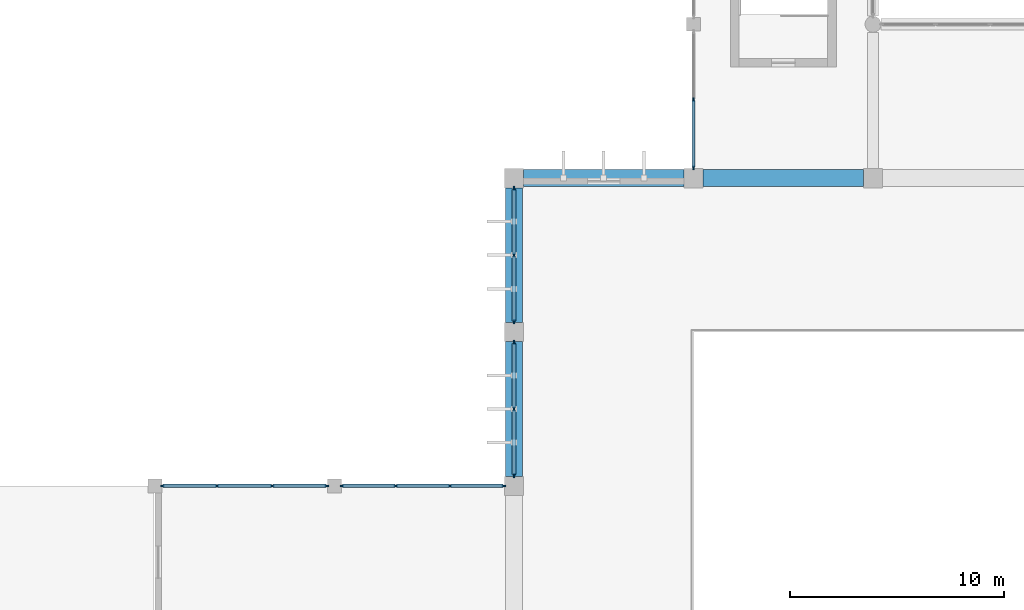
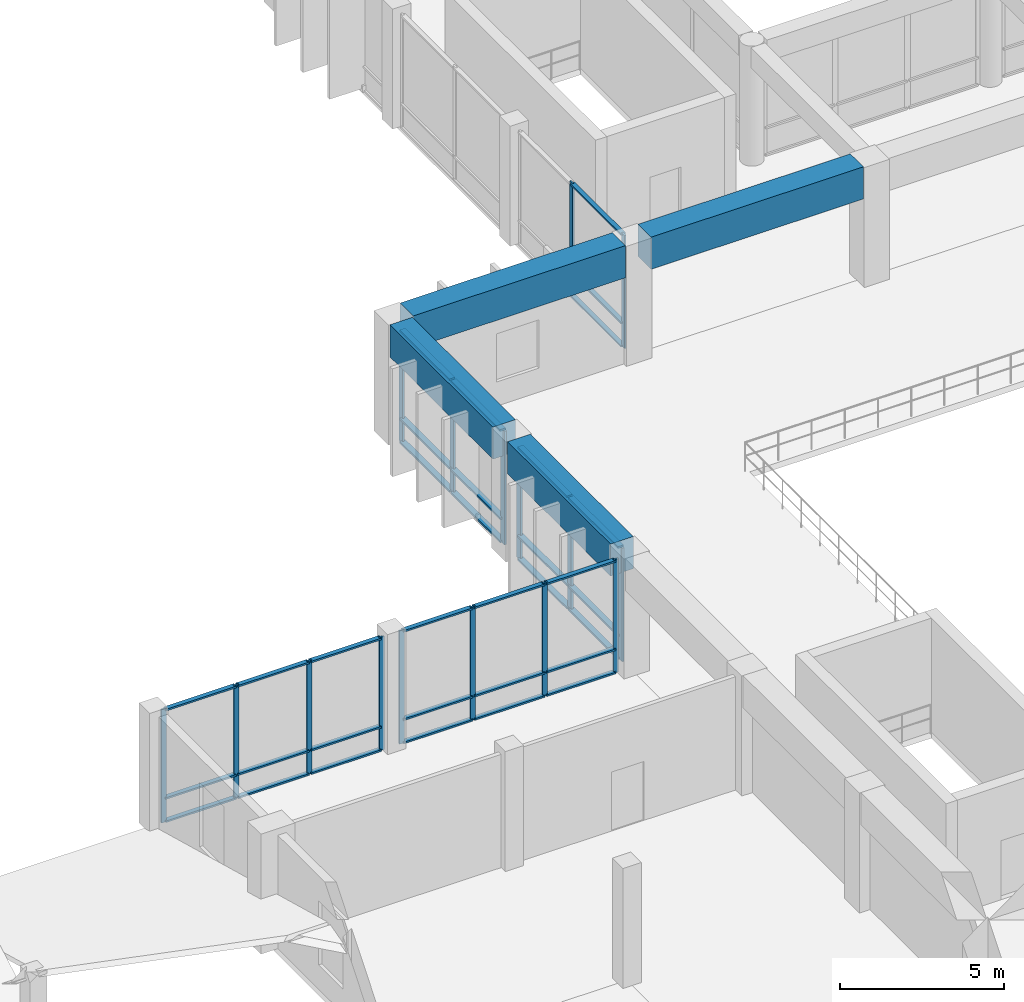
# One storey, part 5 of 40: 49 members, 4 beams, 5 elements without a shape of their own.
"""IFC4 building model written with IfcOpenShell, lengths in metres."""

from ifc_helpers import new_model, si_unit, direction, frame, origin, origin_2d, place, context, subcontext, project, spatial, rectangle, extrude, material, material_profile, profile_set, type_object, element, aggregate, save


model = new_model("IFC4")

# Units and contexts
model_context = context("Model", 3, precision=1e-05, world=origin(), true_north=direction((0.0, 1.0)))
body_context = subcontext(model_context, "Body", "Model", "MODEL_VIEW")
ifc_project = project(units=[si_unit("LENGTHUNIT", "METRE"), si_unit("AREAUNIT", "SQUARE_METRE"), si_unit("VOLUMEUNIT", "CUBIC_METRE"), si_unit("PLANEANGLEUNIT", "RADIAN"), si_unit("MASSUNIT", "GRAM", prefix="KILO")], contexts=[model_context])

# Site, building, storey
site_placement = place(None, origin())
site = spatial("IfcSite", under=ifc_project, at=site_placement, CompositionType="ELEMENT")
building_placement = place(site_placement, origin())
building = spatial("IfcBuilding", under=site, at=building_placement, Name="Kenerak Square Central Library", CompositionType="ELEMENT")
storey_placement = place(building_placement, frame((0.0, 0.0, 14.39990234375)))
storey = spatial("IfcBuildingStorey", under=building, at=storey_placement, Name="L03", CompositionType="ELEMENT", Elevation=14.39990234375)

# Curtain wall, members
ifc_material_1 = material(Name="Anodised aluminium and solar-control low-E glazing", Category="aluminium")
curtain_wall_type_1 = type_object("IfcCurtainWallType", Name="Curtain Wall CW-V4-64x42 6425x4230", PredefinedType="USERDEFINED", material=ifc_material_1)
curtain_wall_1_placement = place(storey_placement, origin())
curtain_wall_1 = element("IfcCurtainWall", 1, at=curtain_wall_1_placement, inside=storey, type_object=curtain_wall_type_1, Name="Curtain Wall CW-V4-64x42 L03 0111", ObjectType="CURTAIN WALL", PredefinedType="USERDEFINED")
ifc_material_2 = material(Name="Anodised aluminium 6063-T6", Category="aluminium")
ifc_material_profile_1 = material_profile(ifc_material_2, rectangle(XDim=0.06494140625, YDim=0.179931640625, at=origin_2d()), Name="AL MULLION 65x180")
ifc_profile_set_1 = profile_set([ifc_material_profile_1], Name="Anodised aluminium 6063-T6")
member_type_1 = type_object("IfcMemberType", Name="Curtain Mullion CM-01 65x180", PredefinedType="MULLION", material=ifc_profile_set_1)
member_1_placement = place(storey_placement, frame((66.800048828125, 53.282470703125, 0.0), z_axis=(0.0, 0.0, 1.0), x_axis=(-1.0, 0.0, 0.0)))
member_1 = element("IfcMember", 2, at=member_1_placement, type_object=member_type_1, Name="CW-V4-64x42 Mullion 1", PredefinedType="MULLION", context=body_context, shape_type="SweptSolid", body=[
    extrude(rectangle(XDim=0.06494140625, YDim=0.179931640625, at=origin_2d()), origin(), (0.0, 0.0, 1.0), 4.22998046875),
])
member_2_placement = place(storey_placement, frame((66.800048828125, 56.46240234375, 0.0), z_axis=(0.0, 0.0, 1.0), x_axis=(-1.0, 0.0, 0.0)))
member_2 = element("IfcMember", 3, at=member_2_placement, type_object=member_type_1, Name="CW-V4-64x42 Mullion 2", PredefinedType="MULLION", context=body_context, shape_type="SweptSolid", body=[
    extrude(rectangle(XDim=0.06494140625, YDim=0.179931640625, at=origin_2d()), origin(), (0.0, 0.0, 1.0), 4.22998046875),
])

curtain_wall_type_2 = type_object("IfcCurtainWallType", Name="Curtain Wall CW-V6-77x42 7750x4230", PredefinedType="USERDEFINED", material=ifc_material_1)
curtain_wall_2_placement = place(storey_placement, origin())
curtain_wall_2 = element("IfcCurtainWall", 4, at=curtain_wall_2_placement, inside=storey, type_object=curtain_wall_type_2, Name="Curtain Wall CW-V6-77x42 L03 0141", ObjectType="CURTAIN WALL", PredefinedType="USERDEFINED")
member_3_placement = place(storey_placement, frame((41.95751953125, 38.39990234375, 0.0), z_axis=(0.0, 0.0, 1.0), x_axis=(0.0, 1.0, 0.0)))
member_3 = element("IfcMember", 5, at=member_3_placement, type_object=member_type_1, Name="CW-V6-77x42 Mullion 1", PredefinedType="MULLION", context=body_context, shape_type="SweptSolid", body=[
    extrude(rectangle(XDim=0.06494140625, YDim=0.179931640625, at=origin_2d()), origin(), (0.0, 0.0, 1.0), 4.22998046875),
])
member_4_placement = place(storey_placement, frame((44.50830078125, 38.39990234375, 0.0), z_axis=(0.0, 0.0, 1.0), x_axis=(0.0, 1.0, 0.0)))
member_4 = element("IfcMember", 6, at=member_4_placement, type_object=member_type_1, Name="CW-V6-77x42 Mullion 2", PredefinedType="MULLION", context=body_context, shape_type="SweptSolid", body=[
    extrude(rectangle(XDim=0.06494140625, YDim=0.179931640625, at=origin_2d()), origin(), (0.0, 0.0, 1.0), 4.22998046875),
])
member_5_placement = place(storey_placement, frame((47.091552734375, 38.39990234375, 0.0), z_axis=(0.0, 0.0, 1.0), x_axis=(0.0, 1.0, 0.0)))
member_5 = element("IfcMember", 7, at=member_5_placement, type_object=member_type_1, Name="CW-V6-77x42 Mullion 3", PredefinedType="MULLION", context=body_context, shape_type="SweptSolid", body=[
    extrude(rectangle(XDim=0.06494140625, YDim=0.179931640625, at=origin_2d()), origin(), (0.0, 0.0, 1.0), 4.22998046875),
])
member_6_placement = place(storey_placement, frame((49.642578125, 38.39990234375, 0.0), z_axis=(0.0, 0.0, 1.0), x_axis=(0.0, 1.0, 0.0)))
member_6 = element("IfcMember", 8, at=member_6_placement, type_object=member_type_1, Name="CW-V6-77x42 Mullion 4", PredefinedType="MULLION", context=body_context, shape_type="SweptSolid", body=[
    extrude(rectangle(XDim=0.06494140625, YDim=0.179931640625, at=origin_2d()), origin(), (0.0, 0.0, 1.0), 4.22998046875),
])

curtain_wall_type_3 = type_object("IfcCurtainWallType", Name="Curtain Wall CW-V6-76x42 7625x4230", PredefinedType="USERDEFINED", material=ifc_material_1)
curtain_wall_3_placement = place(storey_placement, origin())
curtain_wall_3 = element("IfcCurtainWall", 9, at=curtain_wall_3_placement, inside=storey, type_object=curtain_wall_type_3, Name="Curtain Wall CW-V6-76x42 L03 0142", ObjectType="CURTAIN WALL", PredefinedType="USERDEFINED")
member_7_placement = place(storey_placement, frame((50.357421875, 38.39990234375, 0.0), z_axis=(0.0, 0.0, 1.0), x_axis=(0.0, 1.0, 0.0)))
member_7 = element("IfcMember", 10, at=member_7_placement, type_object=member_type_1, Name="CW-V6-76x42 Mullion 1", PredefinedType="MULLION", context=body_context, shape_type="SweptSolid", body=[
    extrude(rectangle(XDim=0.06494140625, YDim=0.179931640625, at=origin_2d()), origin(), (0.0, 0.0, 1.0), 4.22998046875),
])
member_8_placement = place(storey_placement, frame((52.86669921875, 38.39990234375, 0.0), z_axis=(0.0, 0.0, 1.0), x_axis=(0.0, 1.0, 0.0)))
member_8 = element("IfcMember", 11, at=member_8_placement, type_object=member_type_1, Name="CW-V6-76x42 Mullion 2", PredefinedType="MULLION", context=body_context, shape_type="SweptSolid", body=[
    extrude(rectangle(XDim=0.06494140625, YDim=0.179931640625, at=origin_2d()), origin(), (0.0, 0.0, 1.0), 4.22998046875),
])
member_9_placement = place(storey_placement, frame((55.408447265625, 38.39990234375, 0.0), z_axis=(0.0, 0.0, 1.0), x_axis=(0.0, 1.0, 0.0)))
member_9 = element("IfcMember", 12, at=member_9_placement, type_object=member_type_1, Name="CW-V6-76x42 Mullion 3", PredefinedType="MULLION", context=body_context, shape_type="SweptSolid", body=[
    extrude(rectangle(XDim=0.06494140625, YDim=0.179931640625, at=origin_2d()), origin(), (0.0, 0.0, 1.0), 4.22998046875),
])
member_10_placement = place(storey_placement, frame((57.91748046875, 38.39990234375, 0.0), z_axis=(0.0, 0.0, 1.0), x_axis=(0.0, 1.0, 0.0)))
member_10 = element("IfcMember", 13, at=member_10_placement, type_object=member_type_1, Name="CW-V6-76x42 Mullion 4", PredefinedType="MULLION", context=body_context, shape_type="SweptSolid", body=[
    extrude(rectangle(XDim=0.06494140625, YDim=0.179931640625, at=origin_2d()), origin(), (0.0, 0.0, 1.0), 4.22998046875),
])

curtain_wall_type_4 = type_object("IfcCurtainWallType", Name="Curtain Wall CW-V1-63x42 6300x4230", PredefinedType="USERDEFINED", material=ifc_material_1)
curtain_wall_4_placement = place(storey_placement, origin())
curtain_wall_4 = element("IfcCurtainWall", 14, at=curtain_wall_4_placement, inside=storey, type_object=curtain_wall_type_4, Name="Curtain Wall CW-V1-63x42 L03 0109", ObjectType="CURTAIN WALL", PredefinedType="USERDEFINED")
ifc_material_profile_2 = material_profile(ifc_material_2, rectangle(XDim=0.074951171875, YDim=0.219970703125, at=origin_2d()), Name="AL MULLION 75x220")
ifc_profile_set_2 = profile_set([ifc_material_profile_2], Name="Anodised aluminium 6063-T6")
member_type_2 = type_object("IfcMemberType", Name="Curtain Mullion CM-02 75x220", PredefinedType="MULLION", material=ifc_profile_set_2)
member_11_placement = place(storey_placement, frame((58.39990234375, 38.887451171875, 0.0), z_axis=(0.0, 0.0, 1.0), x_axis=(-1.0, 0.0, 0.0)))
member_11 = element("IfcMember", 15, at=member_11_placement, type_object=member_type_2, Name="CW-V1-63x42 Mullion 1", PredefinedType="MULLION", context=body_context, shape_type="SweptSolid", body=[
    extrude(rectangle(XDim=0.074951171875, YDim=0.219970703125, at=origin_2d()), origin(), (0.0, 0.0, 1.0), 4.22998046875),
])
member_12_placement = place(storey_placement, frame((58.39990234375, 42.0, 0.0), z_axis=(0.0, 0.0, 1.0), x_axis=(-1.0, 0.0, 0.0)))
member_12 = element("IfcMember", 16, at=member_12_placement, type_object=member_type_2, Name="CW-V1-63x42 Mullion 2", PredefinedType="MULLION", context=body_context, shape_type="SweptSolid", body=[
    extrude(rectangle(XDim=0.074951171875, YDim=0.219970703125, at=origin_2d()), origin(), (0.0, 0.0, 1.0), 4.22998046875),
])
member_13_placement = place(storey_placement, frame((58.39990234375, 45.112548828125, 0.0), z_axis=(0.0, 0.0, 1.0), x_axis=(-1.0, 0.0, 0.0)))
member_13 = element("IfcMember", 17, at=member_13_placement, type_object=member_type_2, Name="CW-V1-63x42 Mullion 3", PredefinedType="MULLION", context=body_context, shape_type="SweptSolid", body=[
    extrude(rectangle(XDim=0.074951171875, YDim=0.219970703125, at=origin_2d()), origin(), (0.0, 0.0, 1.0), 4.22998046875),
])

curtain_wall_5_placement = place(storey_placement, origin())
curtain_wall_5 = element("IfcCurtainWall", 18, at=curtain_wall_5_placement, inside=storey, type_object=curtain_wall_type_4, Name="Curtain Wall CW-V1-63x42 L03 0110", ObjectType="CURTAIN WALL", PredefinedType="USERDEFINED")
member_14_placement = place(storey_placement, frame((58.39990234375, 46.08740234375, 0.0), z_axis=(0.0, 0.0, 1.0), x_axis=(-1.0, 0.0, 0.0)))
member_14 = element("IfcMember", 19, at=member_14_placement, type_object=member_type_2, Name="CW-V1-63x42 Mullion 1", PredefinedType="MULLION", context=body_context, shape_type="SweptSolid", body=[
    extrude(rectangle(XDim=0.074951171875, YDim=0.219970703125, at=origin_2d()), origin(), (0.0, 0.0, 1.0), 4.22998046875),
])
member_15_placement = place(storey_placement, frame((58.39990234375, 49.199951171875, 0.0), z_axis=(0.0, 0.0, 1.0), x_axis=(-1.0, 0.0, 0.0)))
member_15 = element("IfcMember", 20, at=member_15_placement, type_object=member_type_2, Name="CW-V1-63x42 Mullion 2", PredefinedType="MULLION", context=body_context, shape_type="SweptSolid", body=[
    extrude(rectangle(XDim=0.074951171875, YDim=0.219970703125, at=origin_2d()), origin(), (0.0, 0.0, 1.0), 4.22998046875),
])
member_16_placement = place(storey_placement, frame((58.39990234375, 52.3125, 0.0), z_axis=(0.0, 0.0, 1.0), x_axis=(-1.0, 0.0, 0.0)))
member_16 = element("IfcMember", 21, at=member_16_placement, type_object=member_type_2, Name="CW-V1-63x42 Mullion 3", PredefinedType="MULLION", context=body_context, shape_type="SweptSolid", body=[
    extrude(rectangle(XDim=0.074951171875, YDim=0.219970703125, at=origin_2d()), origin(), (0.0, 0.0, 1.0), 4.22998046875),
])

# Member
ifc_material_profile_3 = material_profile(ifc_material_2, rectangle(XDim=0.159912109375, YDim=0.06494140625, at=origin_2d()), Name="AL TRANSOM 160x65")
ifc_profile_set_3 = profile_set([ifc_material_profile_3], Name="Anodised aluminium 6063-T6")
member_type_3 = type_object("IfcMemberType", Name="Curtain Transom CT-11 160x65", PredefinedType="USERDEFINED", material=ifc_profile_set_3)
member_17_placement = place(storey_placement, frame((66.800048828125, 53.31494140625, 0.03271484375), z_axis=(0.0, 1.0, 0.0), x_axis=(-1.0, 0.0, 0.0)))
member_17 = element("IfcMember", 22, at=member_17_placement, type_object=member_type_3, Name="CW-V4-64x42 Transom 1.1", ObjectType="TRANSOM", PredefinedType="USERDEFINED", context=body_context, shape_type="SweptSolid", body=[
    extrude(rectangle(XDim=0.159912109375, YDim=0.06494140625, at=origin_2d()), origin(), (0.0, 0.0, 1.0), 3.114990234375),
])

member_18_placement = place(storey_placement, frame((66.800048828125, 53.31494140625, 0.900146484375), z_axis=(0.0, 1.0, 0.0), x_axis=(-1.0, 0.0, 0.0)))
member_18 = element("IfcMember", 23, at=member_18_placement, type_object=member_type_3, Name="CW-V4-64x42 Transom 1.2", ObjectType="TRANSOM", PredefinedType="USERDEFINED", context=body_context, shape_type="SweptSolid", body=[
    extrude(rectangle(XDim=0.159912109375, YDim=0.06494140625, at=origin_2d()), origin(), (0.0, 0.0, 1.0), 3.114990234375),
])

member_19_placement = place(storey_placement, frame((66.800048828125, 53.31494140625, 4.197509765625), z_axis=(0.0, 1.0, 0.0), x_axis=(-1.0, 0.0, 0.0)))
member_19 = element("IfcMember", 24, at=member_19_placement, type_object=member_type_3, Name="CW-V4-64x42 Transom 1.3", ObjectType="TRANSOM", PredefinedType="USERDEFINED", context=body_context, shape_type="SweptSolid", body=[
    extrude(rectangle(XDim=0.159912109375, YDim=0.06494140625, at=origin_2d()), origin(), (0.0, 0.0, 1.0), 3.114990234375),
])

aggregate(curtain_wall_1, [member_1, member_2, member_17, member_18, member_19])

member_20_placement = place(storey_placement, frame((41.989990234375, 38.39990234375, 0.03271484375), z_axis=(1.0, 0.0, 0.0), x_axis=(0.0, 1.0, 0.0)))
member_20 = element("IfcMember", 25, at=member_20_placement, type_object=member_type_3, Name="CW-V6-77x42 Transom 1.1", ObjectType="TRANSOM", PredefinedType="USERDEFINED", context=body_context, shape_type="SweptSolid", body=[
    extrude(rectangle(XDim=0.159912109375, YDim=0.06494140625, at=origin_2d()), origin(), (0.0, 0.0, 1.0), 2.48583984375),
])

member_21_placement = place(storey_placement, frame((41.989990234375, 38.39990234375, 0.900146484375), z_axis=(1.0, 0.0, 0.0), x_axis=(0.0, 1.0, 0.0)))
member_21 = element("IfcMember", 26, at=member_21_placement, type_object=member_type_3, Name="CW-V6-77x42 Transom 1.2", ObjectType="TRANSOM", PredefinedType="USERDEFINED", context=body_context, shape_type="SweptSolid", body=[
    extrude(rectangle(XDim=0.159912109375, YDim=0.06494140625, at=origin_2d()), origin(), (0.0, 0.0, 1.0), 2.48583984375),
])

member_22_placement = place(storey_placement, frame((41.989990234375, 38.39990234375, 4.197509765625), z_axis=(1.0, 0.0, 0.0), x_axis=(0.0, 1.0, 0.0)))
member_22 = element("IfcMember", 27, at=member_22_placement, type_object=member_type_3, Name="CW-V6-77x42 Transom 1.3", ObjectType="TRANSOM", PredefinedType="USERDEFINED", context=body_context, shape_type="SweptSolid", body=[
    extrude(rectangle(XDim=0.159912109375, YDim=0.06494140625, at=origin_2d()), origin(), (0.0, 0.0, 1.0), 2.48583984375),
])

member_23_placement = place(storey_placement, frame((44.540771484375, 38.39990234375, 0.03271484375), z_axis=(1.0, 0.0, 0.0), x_axis=(0.0, 1.0, 0.0)))
member_23 = element("IfcMember", 28, at=member_23_placement, type_object=member_type_3, Name="CW-V6-77x42 Transom 2.1", ObjectType="TRANSOM", PredefinedType="USERDEFINED", context=body_context, shape_type="SweptSolid", body=[
    extrude(rectangle(XDim=0.159912109375, YDim=0.06494140625, at=origin_2d()), origin(), (0.0, 0.0, 1.0), 2.518310546875),
])

member_24_placement = place(storey_placement, frame((44.540771484375, 38.39990234375, 0.900146484375), z_axis=(1.0, 0.0, 0.0), x_axis=(0.0, 1.0, 0.0)))
member_24 = element("IfcMember", 29, at=member_24_placement, type_object=member_type_3, Name="CW-V6-77x42 Transom 2.2", ObjectType="TRANSOM", PredefinedType="USERDEFINED", context=body_context, shape_type="SweptSolid", body=[
    extrude(rectangle(XDim=0.159912109375, YDim=0.06494140625, at=origin_2d()), origin(), (0.0, 0.0, 1.0), 2.518310546875),
])

member_25_placement = place(storey_placement, frame((44.540771484375, 38.39990234375, 4.197509765625), z_axis=(1.0, 0.0, 0.0), x_axis=(0.0, 1.0, 0.0)))
member_25 = element("IfcMember", 30, at=member_25_placement, type_object=member_type_3, Name="CW-V6-77x42 Transom 2.3", ObjectType="TRANSOM", PredefinedType="USERDEFINED", context=body_context, shape_type="SweptSolid", body=[
    extrude(rectangle(XDim=0.159912109375, YDim=0.06494140625, at=origin_2d()), origin(), (0.0, 0.0, 1.0), 2.518310546875),
])

member_26_placement = place(storey_placement, frame((47.124267578125, 38.39990234375, 0.03271484375), z_axis=(1.0, 0.0, 0.0), x_axis=(0.0, 1.0, 0.0)))
member_26 = element("IfcMember", 31, at=member_26_placement, type_object=member_type_3, Name="CW-V6-77x42 Transom 3.1", ObjectType="TRANSOM", PredefinedType="USERDEFINED", context=body_context, shape_type="SweptSolid", body=[
    extrude(rectangle(XDim=0.159912109375, YDim=0.06494140625, at=origin_2d()), origin(), (0.0, 0.0, 1.0), 2.48583984375),
])

member_27_placement = place(storey_placement, frame((47.124267578125, 38.39990234375, 0.900146484375), z_axis=(1.0, 0.0, 0.0), x_axis=(0.0, 1.0, 0.0)))
member_27 = element("IfcMember", 32, at=member_27_placement, type_object=member_type_3, Name="CW-V6-77x42 Transom 3.2", ObjectType="TRANSOM", PredefinedType="USERDEFINED", context=body_context, shape_type="SweptSolid", body=[
    extrude(rectangle(XDim=0.159912109375, YDim=0.06494140625, at=origin_2d()), origin(), (0.0, 0.0, 1.0), 2.48583984375),
])

member_28_placement = place(storey_placement, frame((47.124267578125, 38.39990234375, 4.197509765625), z_axis=(1.0, 0.0, 0.0), x_axis=(0.0, 1.0, 0.0)))
member_28 = element("IfcMember", 33, at=member_28_placement, type_object=member_type_3, Name="CW-V6-77x42 Transom 3.3", ObjectType="TRANSOM", PredefinedType="USERDEFINED", context=body_context, shape_type="SweptSolid", body=[
    extrude(rectangle(XDim=0.159912109375, YDim=0.06494140625, at=origin_2d()), origin(), (0.0, 0.0, 1.0), 2.48583984375),
])

aggregate(curtain_wall_2, [member_3, member_4, member_5, member_6, member_20, member_21, member_22, member_23, member_24, member_25, member_26, member_27, member_28])

member_29_placement = place(storey_placement, frame((50.389892578125, 38.39990234375, 0.03271484375), z_axis=(1.0, 0.0, 0.0), x_axis=(0.0, 1.0, 0.0)))
member_29 = element("IfcMember", 34, at=member_29_placement, type_object=member_type_3, Name="CW-V6-76x42 Transom 1.1", ObjectType="TRANSOM", PredefinedType="USERDEFINED", context=body_context, shape_type="SweptSolid", body=[
    extrude(rectangle(XDim=0.159912109375, YDim=0.06494140625, at=origin_2d()), origin(), (0.0, 0.0, 1.0), 2.4443359375),
])

member_30_placement = place(storey_placement, frame((50.389892578125, 38.39990234375, 0.900146484375), z_axis=(1.0, 0.0, 0.0), x_axis=(0.0, 1.0, 0.0)))
member_30 = element("IfcMember", 35, at=member_30_placement, type_object=member_type_3, Name="CW-V6-76x42 Transom 1.2", ObjectType="TRANSOM", PredefinedType="USERDEFINED", context=body_context, shape_type="SweptSolid", body=[
    extrude(rectangle(XDim=0.159912109375, YDim=0.06494140625, at=origin_2d()), origin(), (0.0, 0.0, 1.0), 2.4443359375),
])

member_31_placement = place(storey_placement, frame((50.389892578125, 38.39990234375, 4.197509765625), z_axis=(1.0, 0.0, 0.0), x_axis=(0.0, 1.0, 0.0)))
member_31 = element("IfcMember", 36, at=member_31_placement, type_object=member_type_3, Name="CW-V6-76x42 Transom 1.3", ObjectType="TRANSOM", PredefinedType="USERDEFINED", context=body_context, shape_type="SweptSolid", body=[
    extrude(rectangle(XDim=0.159912109375, YDim=0.06494140625, at=origin_2d()), origin(), (0.0, 0.0, 1.0), 2.4443359375),
])

member_32_placement = place(storey_placement, frame((52.899169921875, 38.39990234375, 0.03271484375), z_axis=(1.0, 0.0, 0.0), x_axis=(0.0, 1.0, 0.0)))
member_32 = element("IfcMember", 37, at=member_32_placement, type_object=member_type_3, Name="CW-V6-76x42 Transom 2.1", ObjectType="TRANSOM", PredefinedType="USERDEFINED", context=body_context, shape_type="SweptSolid", body=[
    extrude(rectangle(XDim=0.159912109375, YDim=0.06494140625, at=origin_2d()), origin(), (0.0, 0.0, 1.0), 2.4765625),
])

member_33_placement = place(storey_placement, frame((52.899169921875, 38.39990234375, 0.900146484375), z_axis=(1.0, 0.0, 0.0), x_axis=(0.0, 1.0, 0.0)))
member_33 = element("IfcMember", 38, at=member_33_placement, type_object=member_type_3, Name="CW-V6-76x42 Transom 2.2", ObjectType="TRANSOM", PredefinedType="USERDEFINED", context=body_context, shape_type="SweptSolid", body=[
    extrude(rectangle(XDim=0.159912109375, YDim=0.06494140625, at=origin_2d()), origin(), (0.0, 0.0, 1.0), 2.4765625),
])

member_34_placement = place(storey_placement, frame((52.899169921875, 38.39990234375, 4.197509765625), z_axis=(1.0, 0.0, 0.0), x_axis=(0.0, 1.0, 0.0)))
member_34 = element("IfcMember", 39, at=member_34_placement, type_object=member_type_3, Name="CW-V6-76x42 Transom 2.3", ObjectType="TRANSOM", PredefinedType="USERDEFINED", context=body_context, shape_type="SweptSolid", body=[
    extrude(rectangle(XDim=0.159912109375, YDim=0.06494140625, at=origin_2d()), origin(), (0.0, 0.0, 1.0), 2.4765625),
])

member_35_placement = place(storey_placement, frame((55.44091796875, 38.39990234375, 0.03271484375), z_axis=(1.0, 0.0, 0.0), x_axis=(0.0, 1.0, 0.0)))
member_35 = element("IfcMember", 40, at=member_35_placement, type_object=member_type_3, Name="CW-V6-76x42 Transom 3.1", ObjectType="TRANSOM", PredefinedType="USERDEFINED", context=body_context, shape_type="SweptSolid", body=[
    extrude(rectangle(XDim=0.159912109375, YDim=0.06494140625, at=origin_2d()), origin(), (0.0, 0.0, 1.0), 2.444091796875),
])

member_36_placement = place(storey_placement, frame((55.44091796875, 38.39990234375, 0.900146484375), z_axis=(1.0, 0.0, 0.0), x_axis=(0.0, 1.0, 0.0)))
member_36 = element("IfcMember", 41, at=member_36_placement, type_object=member_type_3, Name="CW-V6-76x42 Transom 3.2", ObjectType="TRANSOM", PredefinedType="USERDEFINED", context=body_context, shape_type="SweptSolid", body=[
    extrude(rectangle(XDim=0.159912109375, YDim=0.06494140625, at=origin_2d()), origin(), (0.0, 0.0, 1.0), 2.444091796875),
])

member_37_placement = place(storey_placement, frame((55.44091796875, 38.39990234375, 4.197509765625), z_axis=(1.0, 0.0, 0.0), x_axis=(0.0, 1.0, 0.0)))
member_37 = element("IfcMember", 42, at=member_37_placement, type_object=member_type_3, Name="CW-V6-76x42 Transom 3.3", ObjectType="TRANSOM", PredefinedType="USERDEFINED", context=body_context, shape_type="SweptSolid", body=[
    extrude(rectangle(XDim=0.159912109375, YDim=0.06494140625, at=origin_2d()), origin(), (0.0, 0.0, 1.0), 2.444091796875),
])

aggregate(curtain_wall_3, [member_7, member_8, member_9, member_10, member_29, member_30, member_31, member_32, member_33, member_34, member_35, member_36, member_37])

ifc_material_profile_4 = material_profile(ifc_material_2, rectangle(XDim=0.199951171875, YDim=0.074951171875, at=origin_2d()), Name="AL TRANSOM 200x75")
ifc_profile_set_4 = profile_set([ifc_material_profile_4], Name="Anodised aluminium 6063-T6")
member_type_4 = type_object("IfcMemberType", Name="Curtain Transom CT-12 200x75", PredefinedType="USERDEFINED", material=ifc_profile_set_4)
member_38_placement = place(storey_placement, frame((58.39990234375, 38.925048828125, 0.03759765625), z_axis=(0.0, 1.0, 0.0), x_axis=(-1.0, 0.0, 0.0)))
member_38 = element("IfcMember", 43, at=member_38_placement, type_object=member_type_4, Name="CW-V1-63x42 Transom 1.1", ObjectType="TRANSOM", PredefinedType="USERDEFINED", context=body_context, shape_type="SweptSolid", body=[
    extrude(rectangle(XDim=0.199951171875, YDim=0.074951171875, at=origin_2d()), origin(), (0.0, 0.0, 1.0), 3.037353515625),
])

member_39_placement = place(storey_placement, frame((58.39990234375, 38.925048828125, 0.900146484375), z_axis=(0.0, 1.0, 0.0), x_axis=(-1.0, 0.0, 0.0)))
member_39 = element("IfcMember", 44, at=member_39_placement, type_object=member_type_4, Name="CW-V1-63x42 Transom 1.2", ObjectType="TRANSOM", PredefinedType="USERDEFINED", context=body_context, shape_type="SweptSolid", body=[
    extrude(rectangle(XDim=0.199951171875, YDim=0.074951171875, at=origin_2d()), origin(), (0.0, 0.0, 1.0), 3.037353515625),
])

member_40_placement = place(storey_placement, frame((58.39990234375, 38.925048828125, 4.192626953125), z_axis=(0.0, 1.0, 0.0), x_axis=(-1.0, 0.0, 0.0)))
member_40 = element("IfcMember", 45, at=member_40_placement, type_object=member_type_4, Name="CW-V1-63x42 Transom 1.3", ObjectType="TRANSOM", PredefinedType="USERDEFINED", context=body_context, shape_type="SweptSolid", body=[
    extrude(rectangle(XDim=0.199951171875, YDim=0.074951171875, at=origin_2d()), origin(), (0.0, 0.0, 1.0), 3.037353515625),
])

member_41_placement = place(storey_placement, frame((58.39990234375, 42.03759765625, 0.03759765625), z_axis=(0.0, 1.0, 0.0), x_axis=(-1.0, 0.0, 0.0)))
member_41 = element("IfcMember", 46, at=member_41_placement, type_object=member_type_4, Name="CW-V1-63x42 Transom 2.1", ObjectType="TRANSOM", PredefinedType="USERDEFINED", context=body_context, shape_type="SweptSolid", body=[
    extrude(rectangle(XDim=0.199951171875, YDim=0.074951171875, at=origin_2d()), origin(), (0.0, 0.0, 1.0), 3.037353515625),
])

member_42_placement = place(storey_placement, frame((58.39990234375, 42.03759765625, 0.900146484375), z_axis=(0.0, 1.0, 0.0), x_axis=(-1.0, 0.0, 0.0)))
member_42 = element("IfcMember", 47, at=member_42_placement, type_object=member_type_4, Name="CW-V1-63x42 Transom 2.2", ObjectType="TRANSOM", PredefinedType="USERDEFINED", context=body_context, shape_type="SweptSolid", body=[
    extrude(rectangle(XDim=0.199951171875, YDim=0.074951171875, at=origin_2d()), origin(), (0.0, 0.0, 1.0), 3.037353515625),
])

member_43_placement = place(storey_placement, frame((58.39990234375, 42.03759765625, 4.192626953125), z_axis=(0.0, 1.0, 0.0), x_axis=(-1.0, 0.0, 0.0)))
member_43 = element("IfcMember", 48, at=member_43_placement, type_object=member_type_4, Name="CW-V1-63x42 Transom 2.3", ObjectType="TRANSOM", PredefinedType="USERDEFINED", context=body_context, shape_type="SweptSolid", body=[
    extrude(rectangle(XDim=0.199951171875, YDim=0.074951171875, at=origin_2d()), origin(), (0.0, 0.0, 1.0), 3.037353515625),
])

aggregate(curtain_wall_4, [member_11, member_12, member_13, member_38, member_39, member_40, member_41, member_42, member_43])

member_44_placement = place(storey_placement, frame((58.39990234375, 46.125, 0.03759765625), z_axis=(0.0, 1.0, 0.0), x_axis=(-1.0, 0.0, 0.0)))
member_44 = element("IfcMember", 49, at=member_44_placement, type_object=member_type_4, Name="CW-V1-63x42 Transom 1.1", ObjectType="TRANSOM", PredefinedType="USERDEFINED", context=body_context, shape_type="SweptSolid", body=[
    extrude(rectangle(XDim=0.199951171875, YDim=0.074951171875, at=origin_2d()), origin(), (0.0, 0.0, 1.0), 3.03759765625),
])

member_45_placement = place(storey_placement, frame((58.39990234375, 46.125, 0.900146484375), z_axis=(0.0, 1.0, 0.0), x_axis=(-1.0, 0.0, 0.0)))
member_45 = element("IfcMember", 50, at=member_45_placement, type_object=member_type_4, Name="CW-V1-63x42 Transom 1.2", ObjectType="TRANSOM", PredefinedType="USERDEFINED", context=body_context, shape_type="SweptSolid", body=[
    extrude(rectangle(XDim=0.199951171875, YDim=0.074951171875, at=origin_2d()), origin(), (0.0, 0.0, 1.0), 3.03759765625),
])

member_46_placement = place(storey_placement, frame((58.39990234375, 46.125, 4.192626953125), z_axis=(0.0, 1.0, 0.0), x_axis=(-1.0, 0.0, 0.0)))
member_46 = element("IfcMember", 51, at=member_46_placement, type_object=member_type_4, Name="CW-V1-63x42 Transom 1.3", ObjectType="TRANSOM", PredefinedType="USERDEFINED", context=body_context, shape_type="SweptSolid", body=[
    extrude(rectangle(XDim=0.199951171875, YDim=0.074951171875, at=origin_2d()), origin(), (0.0, 0.0, 1.0), 3.03759765625),
])

member_47_placement = place(storey_placement, frame((58.39990234375, 49.237548828125, 0.03759765625), z_axis=(0.0, 1.0, 0.0), x_axis=(-1.0, 0.0, 0.0)))
member_47 = element("IfcMember", 52, at=member_47_placement, type_object=member_type_4, Name="CW-V1-63x42 Transom 2.1", ObjectType="TRANSOM", PredefinedType="USERDEFINED", context=body_context, shape_type="SweptSolid", body=[
    extrude(rectangle(XDim=0.199951171875, YDim=0.074951171875, at=origin_2d()), origin(), (0.0, 0.0, 1.0), 3.037353515625),
])

member_48_placement = place(storey_placement, frame((58.39990234375, 49.237548828125, 0.900146484375), z_axis=(0.0, 1.0, 0.0), x_axis=(-1.0, 0.0, 0.0)))
member_48 = element("IfcMember", 53, at=member_48_placement, type_object=member_type_4, Name="CW-V1-63x42 Transom 2.2", ObjectType="TRANSOM", PredefinedType="USERDEFINED", context=body_context, shape_type="SweptSolid", body=[
    extrude(rectangle(XDim=0.199951171875, YDim=0.074951171875, at=origin_2d()), origin(), (0.0, 0.0, 1.0), 3.037353515625),
])

member_49_placement = place(storey_placement, frame((58.39990234375, 49.237548828125, 4.192626953125), z_axis=(0.0, 1.0, 0.0), x_axis=(-1.0, 0.0, 0.0)))
member_49 = element("IfcMember", 54, at=member_49_placement, type_object=member_type_4, Name="CW-V1-63x42 Transom 2.3", ObjectType="TRANSOM", PredefinedType="USERDEFINED", context=body_context, shape_type="SweptSolid", body=[
    extrude(rectangle(XDim=0.199951171875, YDim=0.074951171875, at=origin_2d()), origin(), (0.0, 0.0, 1.0), 3.037353515625),
])

aggregate(curtain_wall_5, [member_14, member_15, member_16, member_44, member_45, member_46, member_47, member_48, member_49])

# Beams
ifc_material_3 = material(Name="Concrete C45/55", Category="concrete")
ifc_material_profile_5 = material_profile(ifc_material_3, rectangle(XDim=0.800048828125, YDim=1.199951171875, at=origin_2d()), Name="RC 800x1200")
ifc_profile_set_5 = profile_set([ifc_material_profile_5], Name="Concrete C45/55")
beam_type = type_object("IfcBeamType", Name="Gridshell Ring Beam RB-01 RC 800x1200 C45/55", PredefinedType="BEAM", material=ifc_profile_set_5)
for number, where, z_axis, x_axis, name in (
    (55, (58.85009765625, 52.800048828125, 3.880126953125), (1.0, 0.0, 0.0), (0.0, 1.0, 0.0), "Gridshell Ring Beam RB-01 08"),
    (56, (67.25, 52.800048828125, 3.880126953125), (1.0, 0.0, 0.0), (0.0, 1.0, 0.0), "Gridshell Ring Beam RB-01 09"),
):
    element("IfcBeam", number, at=place(storey_placement, frame(where, z_axis=z_axis, x_axis=x_axis)), inside=storey, type_object=beam_type, Name=name, PredefinedType="BEAM", context=body_context, shape_type="SweptSolid", body=[
        extrude(rectangle(XDim=0.800048828125, YDim=1.199951171875, at=origin_2d()), origin(), (0.0, 0.0, 1.0), 7.5),
    ])
beam_1_placement = place(storey_placement, frame((58.39990234375, 38.85009765625, 3.880126953125), z_axis=(0.0, 1.0, 0.0), x_axis=(-1.0, 0.0, 0.0)))
element("IfcBeam", 57, at=beam_1_placement, inside=storey, type_object=beam_type, Name="Gridshell Ring Beam RB-01 18", PredefinedType="BEAM", context=body_context, shape_type="SweptSolid", body=[
    extrude(rectangle(XDim=0.800048828125, YDim=1.199951171875, at=origin_2d()), origin(), (0.0, 0.0, 1.0), 6.2998046875),
])
beam_2_placement = place(storey_placement, frame((58.39990234375, 46.050048828125, 3.880126953125), z_axis=(0.0, 1.0, 0.0), x_axis=(-1.0, 0.0, 0.0)))
element("IfcBeam", 58, at=beam_2_placement, inside=storey, type_object=beam_type, Name="Gridshell Ring Beam RB-01 19", PredefinedType="BEAM", context=body_context, shape_type="SweptSolid", body=[
    extrude(rectangle(XDim=0.800048828125, YDim=1.199951171875, at=origin_2d()), origin(), (0.0, 0.0, 1.0), 6.300048828125),
])

save(model, "model.ifc")
